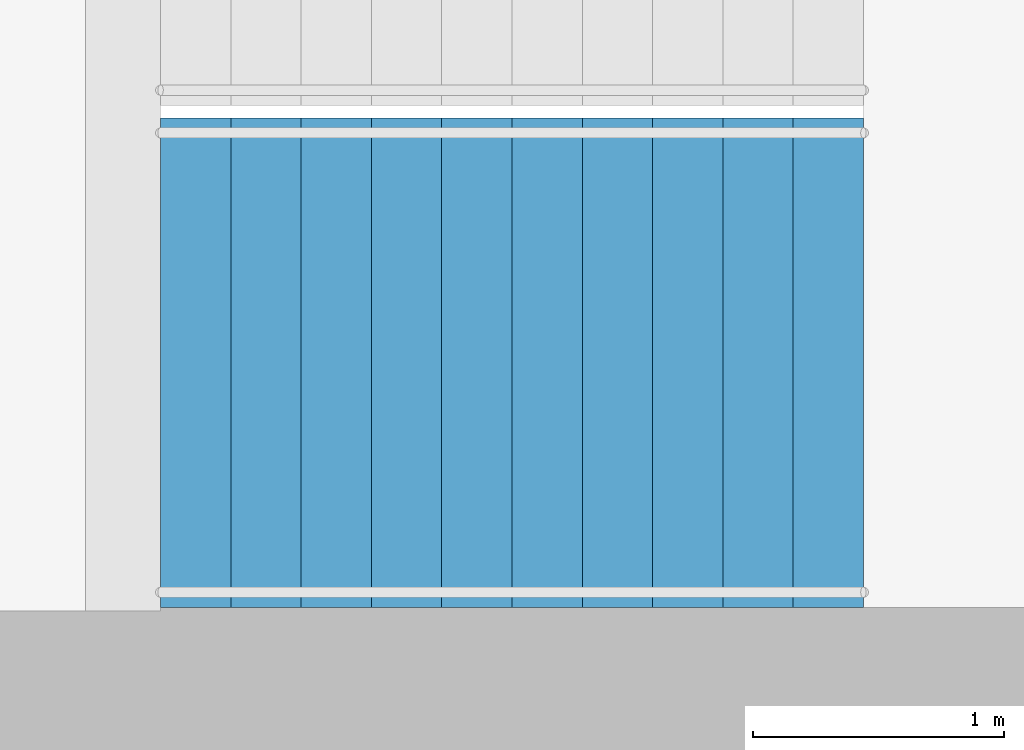
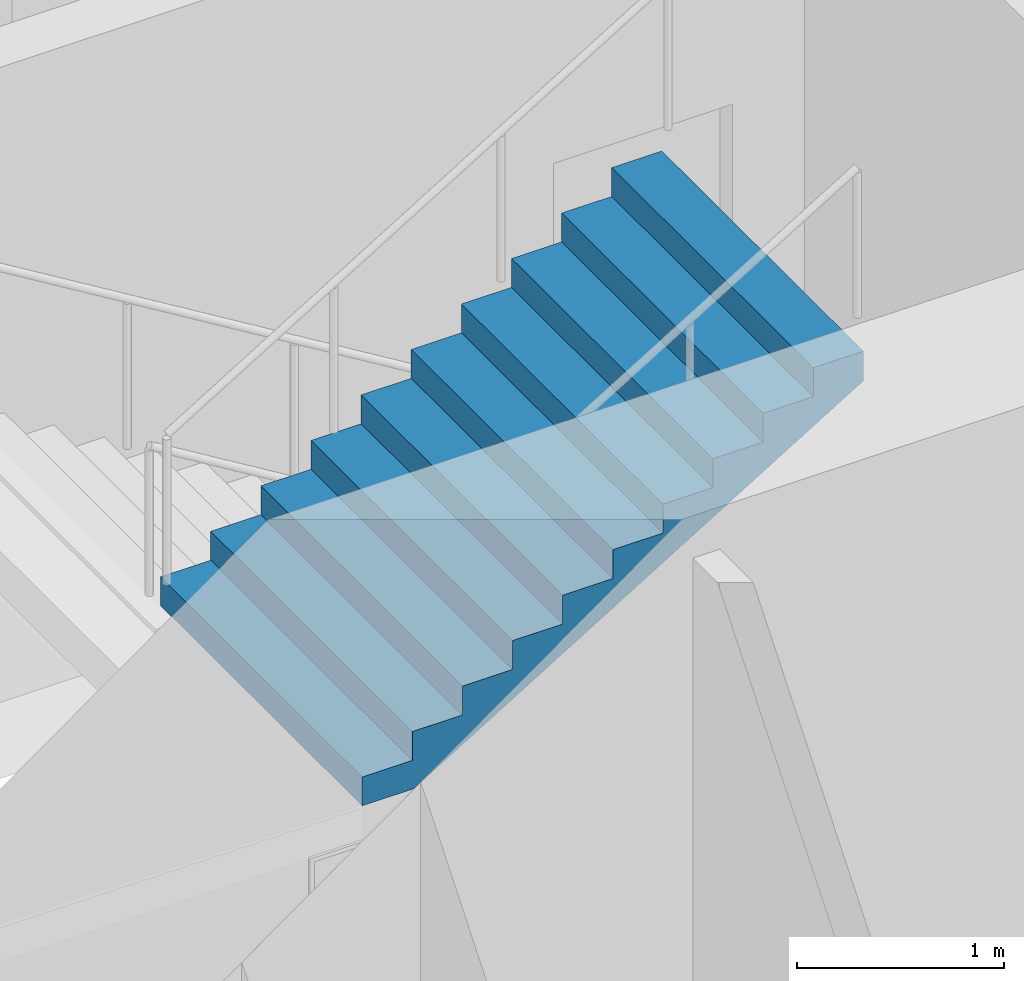
# One storey, part 22 of 26: 1 stair flight, 1 element without a shape of its own.
"""IFC4 building model written with IfcOpenShell, lengths in metres."""

from ifc_helpers import new_model, si_unit, direction, frame, origin, place, context, subcontext, project, spatial, triangles, material, type_object, element, aggregate, save


model = new_model("IFC4")

# Units and contexts
model_context = context("Model", 3, precision=1e-05, world=origin(), true_north=direction((0.0, 1.0)))
body_context = subcontext(model_context, "Body", "Model", "MODEL_VIEW")
ifc_project = project(units=[si_unit("LENGTHUNIT", "METRE"), si_unit("AREAUNIT", "SQUARE_METRE"), si_unit("VOLUMEUNIT", "CUBIC_METRE"), si_unit("PLANEANGLEUNIT", "RADIAN"), si_unit("MASSUNIT", "GRAM", prefix="KILO")], contexts=[model_context])

# Site, building, storey
site_placement = place(None, origin())
site = spatial("IfcSite", under=ifc_project, at=site_placement, CompositionType="ELEMENT")
building_placement = place(site_placement, origin())
building = spatial("IfcBuilding", under=site, at=building_placement, Name="Orbita Commons", CompositionType="ELEMENT")
storey_placement = place(building_placement, frame((0.0, 0.0, 53.949951171875)))
storey = spatial("IfcBuildingStorey", under=building, at=storey_placement, Name="L13", CompositionType="ELEMENT", Elevation=53.949951171875)

# Stair, stair flight
ifc_material_1 = material(Name="Precast concrete C40/50", Category="concrete")
stair_type = type_object("IfcStairType", Name="Exit stair S2 2 flights 11 risers 170", PredefinedType="HALF_TURN_STAIR", material=ifc_material_1)
stair_placement = place(storey_placement, origin())
stair = element("IfcStair", 1, at=stair_placement, inside=storey, type_object=stair_type, Name="Exit stair S2 L13", PredefinedType="HALF_TURN_STAIR")
ifc_material_2 = material(Name="Precast concrete C40/50", Category="concrete")
stair_flight_type = type_object("IfcStairFlightType", Name="Stair flight 11 risers 170 x 280", PredefinedType="STRAIGHT", material=ifc_material_2)
stair_flight_placement = place(storey_placement, frame((60.75, 27.27490234375, 1.875), z_axis=(0.0, 0.0, 1.0), x_axis=(1.0, 0.0, 0.0)))
stair_flight = element("IfcStairFlight", 2, at=stair_flight_placement, type_object=stair_flight_type, Name="S2 flight 2", NumberOfRisers=11, NumberOfTreads=10, PredefinedType="STRAIGHT", RiserHeight=0.170454545, TreadLength=0.28, context=body_context, shape_type="Tessellation", body=[
    triangles([(0.0, 0.974976, 0.0), (0.0, 0.974976, 0.021307), (0.0, 0.81248, 0.021307), (0.0, 0.81248, 0.0), (0.0, 0.649984, 0.021307), (0.0, 0.649984, 0.0), (0.0, 0.487488, 0.021307), (0.0, 0.487488, 0.0), (0.0, 0.324992, 0.021307), (0.0, 0.324992, 0.0), (0.0, 0.162496, 0.021307), (0.0, 0.162496, 0.0), (0.0, 0.0, 0.021307), (0.0, 0.0, 0.0), (0.0, -0.162496, 0.021307), (0.0, -0.162496, 0.0), (0.0, -0.324992, 0.021307), (0.0, -0.324992, 0.0), (0.0, -0.487488, 0.021307), (0.0, -0.487488, 0.0), (0.0, -0.649984, 0.021307), (0.0, -0.649984, 0.0), (0.0, -0.81248, 0.021307), (0.0, -0.81248, 0.0), (0.0, -0.974976, 0.021307), (0.0, -0.974976, 0.0), (0.0, 0.974976, 0.042614), (0.0, 0.81248, 0.042614), (0.0, 0.649984, 0.042614), (0.0, 0.487488, 0.042614), (0.0, 0.324992, 0.042614), (0.0, 0.162496, 0.042614), (0.0, 0.0, 0.042614), (0.0, -0.162496, 0.042614), (0.0, -0.324992, 0.042614), (0.0, -0.487488, 0.042614), (0.0, -0.649984, 0.042614), (0.0, -0.81248, 0.042614), (0.0, -0.974976, 0.042614), (0.0, 0.974976, 0.06392), (0.0, 0.81248, 0.06392), (0.0, 0.649984, 0.06392), (0.0, 0.487488, 0.06392), (0.0, 0.324992, 0.06392), (0.0, 0.162496, 0.06392), (0.0, 0.0, 0.06392), (0.0, -0.162496, 0.06392), (0.0, -0.324992, 0.06392), (0.0, -0.487488, 0.06392), (0.0, -0.649984, 0.06392), (0.0, -0.81248, 0.06392), (0.0, -0.974976, 0.06392), (0.0, 0.974976, 0.085227), (0.0, 0.81248, 0.085227), (0.0, 0.649984, 0.085227), (0.0, 0.487488, 0.085227), (0.0, 0.324992, 0.085227), (0.0, 0.162496, 0.085227), (0.0, 0.0, 0.085227), (0.0, -0.162496, 0.085227), (0.0, -0.324992, 0.085227), (0.0, -0.487488, 0.085227), (0.0, -0.649984, 0.085227), (0.0, -0.81248, 0.085227), (0.0, -0.974976, 0.085227), (0.0, 0.974976, 0.106534), (0.0, 0.81248, 0.106534), (0.0, 0.649984, 0.106534), (0.0, 0.487488, 0.106534), (0.0, 0.324992, 0.106534), (0.0, 0.162496, 0.106534), (0.0, 0.0, 0.106534), (0.0, -0.162496, 0.106534), (0.0, -0.324992, 0.106534), (0.0, -0.487488, 0.106534), (0.0, -0.649984, 0.106534), (0.0, -0.81248, 0.106534), (0.0, -0.974976, 0.106534), (0.0, 0.974976, 0.127841), (0.0, 0.81248, 0.127841), (0.0, 0.649984, 0.127841), (0.0, 0.487488, 0.127841), (0.0, 0.324992, 0.127841), (0.0, 0.162496, 0.127841), (0.0, 0.0, 0.127841), (0.0, -0.162496, 0.127841), (0.0, -0.324992, 0.127841), (0.0, -0.487488, 0.127841), (0.0, -0.649984, 0.127841), (0.0, -0.81248, 0.127841), (0.0, -0.974976, 0.127841), (0.0, 0.974976, 0.149148), (0.0, 0.81248, 0.149148), (0.0, 0.649984, 0.149148), (0.0, 0.487488, 0.149148), (0.0, 0.324992, 0.149148), (0.0, 0.162496, 0.149148), (0.0, 0.0, 0.149148), (0.0, -0.162496, 0.149148), (0.0, -0.324992, 0.149148), (0.0, -0.487488, 0.149148), (0.0, -0.649984, 0.149148), (0.0, -0.81248, 0.149148), (0.0, -0.974976, 0.149148), (0.0, 0.974976, 0.170455), (0.0, 0.81248, 0.170455), (0.0, 0.649984, 0.170455), (0.0, 0.487488, 0.170455), (0.0, 0.324992, 0.170455), (0.0, 0.162496, 0.170455), (0.0, 0.0, 0.170455), (0.0, -0.162496, 0.170455), (0.0, -0.324992, 0.170455), (0.0, -0.487488, 0.170455), (0.0, -0.649984, 0.170455), (0.0, -0.81248, 0.170455), (0.0, -0.974976, 0.170455), (0.28, 0.974976, 0.170455), (0.28, 0.81248, 0.170455), (0.28, 0.649984, 0.170455), (0.28, 0.487488, 0.170455), (0.28, 0.324992, 0.170455), (0.28, 0.162496, 0.170455), (0.28, 0.0, 0.170455), (0.28, -0.162496, 0.170455), (0.28, -0.324992, 0.170455), (0.28, -0.487488, 0.170455), (0.28, -0.649984, 0.170455), (0.28, -0.81248, 0.170455), (0.28, -0.974976, 0.170455), (0.28, 0.974976, 0.340909), (0.28, 0.81248, 0.340909), (0.28, 0.649984, 0.340909), (0.28, 0.487488, 0.340909), (0.28, 0.324992, 0.340909), (0.28, 0.162496, 0.340909), (0.28, 0.0, 0.340909), (0.28, -0.162496, 0.340909), (0.28, -0.324992, 0.340909), (0.28, -0.487488, 0.340909), (0.28, -0.649984, 0.340909), (0.28, -0.81248, 0.340909), (0.28, -0.974976, 0.340909), (0.56, 0.974976, 0.340909), (0.56, 0.81248, 0.340909), (0.56, 0.649984, 0.340909), (0.56, 0.487488, 0.340909), (0.56, 0.324992, 0.340909), (0.56, 0.162496, 0.340909), (0.56, 0.0, 0.340909), (0.56, -0.162496, 0.340909), (0.56, -0.324992, 0.340909), (0.56, -0.487488, 0.340909), (0.56, -0.649984, 0.340909), (0.56, -0.81248, 0.340909), (0.56, -0.974976, 0.340909), (0.56, 0.974976, 0.511364), (0.56, 0.81248, 0.511364), (0.56, 0.649984, 0.511364), (0.56, 0.487488, 0.511364), (0.56, 0.324992, 0.511364), (0.56, 0.162496, 0.511364), (0.56, 0.0, 0.511364), (0.56, -0.162496, 0.511364), (0.56, -0.324992, 0.511364), (0.56, -0.487488, 0.511364), (0.56, -0.649984, 0.511364), (0.56, -0.81248, 0.511364), (0.56, -0.974976, 0.511364), (0.84, 0.974976, 0.511364), (0.84, 0.81248, 0.511364), (0.84, 0.649984, 0.511364), (0.84, 0.487488, 0.511364), (0.84, 0.324992, 0.511364), (0.84, 0.162496, 0.511364), (0.84, 0.0, 0.511364), (0.84, -0.162496, 0.511364), (0.84, -0.324992, 0.511364), (0.84, -0.487488, 0.511364), (0.84, -0.649984, 0.511364), (0.84, -0.81248, 0.511364), (0.84, -0.974976, 0.511364), (0.84, 0.974976, 0.681818), (0.84, 0.81248, 0.681818), (0.84, 0.649984, 0.681818), (0.84, 0.487488, 0.681818), (0.84, 0.324992, 0.681818), (0.84, 0.162496, 0.681818), (0.84, 0.0, 0.681818), (0.84, -0.162496, 0.681818), (0.84, -0.324992, 0.681818), (0.84, -0.487488, 0.681818), (0.84, -0.649984, 0.681818), (0.84, -0.81248, 0.681818), (0.84, -0.974976, 0.681818), (1.12, 0.974976, 0.681818), (1.12, 0.81248, 0.681818), (1.12, 0.649984, 0.681818), (1.12, 0.487488, 0.681818), (1.12, 0.324992, 0.681818), (1.12, 0.162496, 0.681818), (1.12, 0.0, 0.681818), (1.12, -0.162496, 0.681818), (1.12, -0.324992, 0.681818), (1.12, -0.487488, 0.681818), (1.12, -0.649984, 0.681818), (1.12, -0.81248, 0.681818), (1.12, -0.974976, 0.681818), (1.12, 0.974976, 0.852273), (1.12, 0.81248, 0.852273), (1.12, 0.649984, 0.852273), (1.12, 0.487488, 0.852273), (1.12, 0.324992, 0.852273), (1.12, 0.162496, 0.852273), (1.12, 0.0, 0.852273), (1.12, -0.162496, 0.852273), (1.12, -0.324992, 0.852273), (1.12, -0.487488, 0.852273), (1.12, -0.649984, 0.852273), (1.12, -0.81248, 0.852273), (1.12, -0.974976, 0.852273), (1.4, 0.974976, 0.852273), (1.4, 0.81248, 0.852273), (1.4, 0.649984, 0.852273), (1.4, 0.487488, 0.852273), (1.4, 0.324992, 0.852273), (1.4, 0.162496, 0.852273), (1.4, 0.0, 0.852273), (1.4, -0.162496, 0.852273), (1.4, -0.324992, 0.852273), (1.4, -0.487488, 0.852273), (1.4, -0.649984, 0.852273), (1.4, -0.81248, 0.852273), (1.4, -0.974976, 0.852273), (1.4, 0.974976, 1.022727), (1.4, 0.81248, 1.022727), (1.4, 0.649984, 1.022727), (1.4, 0.487488, 1.022727), (1.4, 0.324992, 1.022727), (1.4, 0.162496, 1.022727), (1.4, 0.0, 1.022727), (1.4, -0.162496, 1.022727), (1.4, -0.324992, 1.022727), (1.4, -0.487488, 1.022727), (1.4, -0.649984, 1.022727), (1.4, -0.81248, 1.022727), (1.4, -0.974976, 1.022727), (1.68, 0.974976, 1.022727), (1.68, 0.81248, 1.022727), (1.68, 0.649984, 1.022727), (1.68, 0.487488, 1.022727), (1.68, 0.324992, 1.022727), (1.68, 0.162496, 1.022727), (1.68, 0.0, 1.022727), (1.68, -0.162496, 1.022727), (1.68, -0.324992, 1.022727), (1.68, -0.487488, 1.022727), (1.68, -0.649984, 1.022727), (1.68, -0.81248, 1.022727), (1.68, -0.974976, 1.022727), (1.68, 0.974976, 1.193182), (1.68, 0.81248, 1.193182), (1.68, 0.649984, 1.193182), (1.68, 0.487488, 1.193182), (1.68, 0.324992, 1.193182), (1.68, 0.162496, 1.193182), (1.68, 0.0, 1.193182), (1.68, -0.162496, 1.193182), (1.68, -0.324992, 1.193182), (1.68, -0.487488, 1.193182), (1.68, -0.649984, 1.193182), (1.68, -0.81248, 1.193182), (1.68, -0.974976, 1.193182), (1.96, 0.974976, 1.193182), (1.96, 0.81248, 1.193182), (1.96, 0.649984, 1.193182), (1.96, 0.487488, 1.193182), (1.96, 0.324992, 1.193182), (1.96, 0.162496, 1.193182), (1.96, 0.0, 1.193182), (1.96, -0.162496, 1.193182), (1.96, -0.324992, 1.193182), (1.96, -0.487488, 1.193182), (1.96, -0.649984, 1.193182), (1.96, -0.81248, 1.193182), (1.96, -0.974976, 1.193182), (1.96, 0.974976, 1.363636), (1.96, 0.81248, 1.363636), (1.96, 0.649984, 1.363636), (1.96, 0.487488, 1.363636), (1.96, 0.324992, 1.363636), (1.96, 0.162496, 1.363636), (1.96, 0.0, 1.363636), (1.96, -0.162496, 1.363636), (1.96, -0.324992, 1.363636), (1.96, -0.487488, 1.363636), (1.96, -0.649984, 1.363636), (1.96, -0.81248, 1.363636), (1.96, -0.974976, 1.363636), (2.24, 0.974976, 1.363636), (2.24, 0.81248, 1.363636), (2.24, 0.649984, 1.363636), (2.24, 0.487488, 1.363636), (2.24, 0.324992, 1.363636), (2.24, 0.162496, 1.363636), (2.24, 0.0, 1.363636), (2.24, -0.162496, 1.363636), (2.24, -0.324992, 1.363636), (2.24, -0.487488, 1.363636), (2.24, -0.649984, 1.363636), (2.24, -0.81248, 1.363636), (2.24, -0.974976, 1.363636), (2.24, 0.974976, 1.534091), (2.24, 0.81248, 1.534091), (2.24, 0.649984, 1.534091), (2.24, 0.487488, 1.534091), (2.24, 0.324992, 1.534091), (2.24, 0.162496, 1.534091), (2.24, 0.0, 1.534091), (2.24, -0.162496, 1.534091), (2.24, -0.324992, 1.534091), (2.24, -0.487488, 1.534091), (2.24, -0.649984, 1.534091), (2.24, -0.81248, 1.534091), (2.24, -0.974976, 1.534091), (2.52, 0.974976, 1.534091), (2.52, 0.81248, 1.534091), (2.52, 0.649984, 1.534091), (2.52, 0.487488, 1.534091), (2.52, 0.324992, 1.534091), (2.52, 0.162496, 1.534091), (2.52, 0.0, 1.534091), (2.52, -0.162496, 1.534091), (2.52, -0.324992, 1.534091), (2.52, -0.487488, 1.534091), (2.52, -0.649984, 1.534091), (2.52, -0.81248, 1.534091), (2.52, -0.974976, 1.534091), (2.52, 0.974976, 1.704545), (2.52, 0.81248, 1.704545), (2.52, 0.649984, 1.704545), (2.52, 0.487488, 1.704545), (2.52, 0.324992, 1.704545), (2.52, 0.162496, 1.704545), (2.52, 0.0, 1.704545), (2.52, -0.162496, 1.704545), (2.52, -0.324992, 1.704545), (2.52, -0.487488, 1.704545), (2.52, -0.649984, 1.704545), (2.52, -0.81248, 1.704545), (2.52, -0.974976, 1.704545), (2.8, 0.974976, 1.704545), (2.8, 0.81248, 1.704545), (2.8, 0.649984, 1.704545), (2.8, 0.487488, 1.704545), (2.8, 0.324992, 1.704545), (2.8, 0.162496, 1.704545), (2.8, 0.0, 1.704545), (2.8, -0.162496, 1.704545), (2.8, -0.324992, 1.704545), (2.8, -0.487488, 1.704545), (2.8, -0.649984, 1.704545), (2.8, -0.81248, 1.704545), (2.8, -0.974976, 1.704545), (2.8, 0.974976, 1.682609), (2.8, 0.81248, 1.682609), (2.8, 0.649984, 1.682609), (2.8, 0.487488, 1.682609), (2.8, 0.324992, 1.682609), (2.8, 0.162496, 1.682609), (2.8, 0.0, 1.682609), (2.8, -0.162496, 1.682609), (2.8, -0.324992, 1.682609), (2.8, -0.487488, 1.682609), (2.8, -0.649984, 1.682609), (2.8, -0.81248, 1.682609), (2.8, -0.974976, 1.682609), (2.8, 0.974976, 1.660672), (2.8, 0.81248, 1.660672), (2.8, 0.649984, 1.660672), (2.8, 0.487488, 1.660672), (2.8, 0.324992, 1.660672), (2.8, 0.162496, 1.660672), (2.8, 0.0, 1.660672), (2.8, -0.162496, 1.660672), (2.8, -0.324992, 1.660672), (2.8, -0.487488, 1.660672), (2.8, -0.649984, 1.660672), (2.8, -0.81248, 1.660672), (2.8, -0.974976, 1.660672), (2.8, 0.974976, 1.638735), (2.8, 0.81248, 1.638735), (2.8, 0.649984, 1.638735), (2.8, 0.487488, 1.638735), (2.8, 0.324992, 1.638735), (2.8, 0.162496, 1.638735), (2.8, 0.0, 1.638735), (2.8, -0.162496, 1.638735), (2.8, -0.324992, 1.638735), (2.8, -0.487488, 1.638735), (2.8, -0.649984, 1.638735), (2.8, -0.81248, 1.638735), (2.8, -0.974976, 1.638735), (2.8, 0.974976, 1.616798), (2.8, 0.81248, 1.616798), (2.8, 0.649984, 1.616798), (2.8, 0.487488, 1.616798), (2.8, 0.324992, 1.616798), (2.8, 0.162496, 1.616798), (2.8, 0.0, 1.616798), (2.8, -0.162496, 1.616798), (2.8, -0.324992, 1.616798), (2.8, -0.487488, 1.616798), (2.8, -0.649984, 1.616798), (2.8, -0.81248, 1.616798), (2.8, -0.974976, 1.616798), (2.8, 0.974976, 1.594861), (2.8, 0.81248, 1.594861), (2.8, 0.649984, 1.594861), (2.8, 0.487488, 1.594861), (2.8, 0.324992, 1.594861), (2.8, 0.162496, 1.594861), (2.8, 0.0, 1.594861), (2.8, -0.162496, 1.594861), (2.8, -0.324992, 1.594861), (2.8, -0.487488, 1.594861), (2.8, -0.649984, 1.594861), (2.8, -0.81248, 1.594861), (2.8, -0.974976, 1.594861), (2.8, 0.974976, 1.572925), (2.8, 0.81248, 1.572925), (2.8, 0.649984, 1.572925), (2.8, 0.487488, 1.572925), (2.8, 0.324992, 1.572925), (2.8, 0.162496, 1.572925), (2.8, 0.0, 1.572925), (2.8, -0.162496, 1.572925), (2.8, -0.324992, 1.572925), (2.8, -0.487488, 1.572925), (2.8, -0.649984, 1.572925), (2.8, -0.81248, 1.572925), (2.8, -0.974976, 1.572925), (2.8, 0.974976, 1.550988), (2.8, 0.81248, 1.550988), (2.8, 0.649984, 1.550988), (2.8, 0.487488, 1.550988), (2.8, 0.324992, 1.550988), (2.8, 0.162496, 1.550988), (2.8, 0.0, 1.550988), (2.8, -0.162496, 1.550988), (2.8, -0.324992, 1.550988), (2.8, -0.487488, 1.550988), (2.8, -0.649984, 1.550988), (2.8, -0.81248, 1.550988), (2.8, -0.974976, 1.550988), (2.8, 0.974976, 1.529051), (2.8, 0.81248, 1.529051), (2.8, 0.649984, 1.529051), (2.8, 0.487488, 1.529051), (2.8, 0.324992, 1.529051), (2.8, 0.162496, 1.529051), (2.8, 0.0, 1.529051), (2.8, -0.162496, 1.529051), (2.8, -0.324992, 1.529051), (2.8, -0.487488, 1.529051), (2.8, -0.649984, 1.529051), (2.8, -0.81248, 1.529051), (2.8, -0.974976, 1.529051), (0.288279, 0.974976, 0.0), (0.288279, 0.81248, 0.0), (0.288279, 0.649984, 0.0), (0.288279, 0.487488, 0.0), (0.288279, 0.324992, 0.0), (0.288279, 0.162496, 0.0), (0.288279, 0.0, 0.0), (0.288279, -0.162496, 0.0), (0.288279, -0.324992, 0.0), (0.288279, -0.487488, 0.0), (0.288279, -0.649984, 0.0), (0.288279, -0.81248, 0.0), (0.288279, -0.974976, 0.0)], [[3, 2, 1], [4, 3, 1], [5, 3, 4], [6, 5, 4], [7, 5, 6], [8, 7, 6], [9, 7, 8], [10, 9, 8], [11, 9, 10], [12, 11, 10], [13, 11, 12], [14, 13, 12], [15, 13, 14], [16, 15, 14], [17, 15, 16], [18, 17, 16], [19, 17, 18], [20, 19, 18], [21, 19, 20], [22, 21, 20], [23, 21, 22], [24, 23, 22], [25, 23, 24], [26, 25, 24], [28, 27, 2], [3, 28, 2], [29, 28, 3], [5, 29, 3], [30, 29, 5], [7, 30, 5], [31, 30, 7], [9, 31, 7], [32, 31, 9], [11, 32, 9], [33, 32, 11], [13, 33, 11], [34, 33, 13], [15, 34, 13], [35, 34, 15], [17, 35, 15], [36, 35, 17], [19, 36, 17], [37, 36, 19], [21, 37, 19], [38, 37, 21], [23, 38, 21], [39, 38, 23], [25, 39, 23], [41, 40, 27], [28, 41, 27], [42, 41, 28], [29, 42, 28], [43, 42, 29], [30, 43, 29], [44, 43, 30], [31, 44, 30], [45, 44, 31], [32, 45, 31], [46, 45, 32], [33, 46, 32], [47, 46, 33], [34, 47, 33], [48, 47, 34], [35, 48, 34], [49, 48, 35], [36, 49, 35], [50, 49, 36], [37, 50, 36], [51, 50, 37], [38, 51, 37], [52, 51, 38], [39, 52, 38], [54, 53, 40], [41, 54, 40], [55, 54, 41], [42, 55, 41], [56, 55, 42], [43, 56, 42], [57, 56, 43], [44, 57, 43], [58, 57, 44], [45, 58, 44], [59, 58, 45], [46, 59, 45], [60, 59, 46], [47, 60, 46], [61, 60, 47], [48, 61, 47], [62, 61, 48], [49, 62, 48], [63, 62, 49], [50, 63, 49], [64, 63, 50], [51, 64, 50], [65, 64, 51], [52, 65, 51], [67, 66, 53], [54, 67, 53], [68, 67, 54], [55, 68, 54], [69, 68, 55], [56, 69, 55], [70, 69, 56], [57, 70, 56], [71, 70, 57], [58, 71, 57], [72, 71, 58], [59, 72, 58], [73, 72, 59], [60, 73, 59], [74, 73, 60], [61, 74, 60], [75, 74, 61], [62, 75, 61], [76, 75, 62], [63, 76, 62], [77, 76, 63], [64, 77, 63], [78, 77, 64], [65, 78, 64], [80, 79, 66], [67, 80, 66], [81, 80, 67], [68, 81, 67], [82, 81, 68], [69, 82, 68], [83, 82, 69], [70, 83, 69], [84, 83, 70], [71, 84, 70], [85, 84, 71], [72, 85, 71], [86, 85, 72], [73, 86, 72], [87, 86, 73], [74, 87, 73], [88, 87, 74], [75, 88, 74], [89, 88, 75], [76, 89, 75], [90, 89, 76], [77, 90, 76], [91, 90, 77], [78, 91, 77], [93, 92, 79], [80, 93, 79], [94, 93, 80], [81, 94, 80], [95, 94, 81], [82, 95, 81], [96, 95, 82], [83, 96, 82], [97, 96, 83], [84, 97, 83], [98, 97, 84], [85, 98, 84], [99, 98, 85], [86, 99, 85], [100, 99, 86], [87, 100, 86], [101, 100, 87], [88, 101, 87], [102, 101, 88], [89, 102, 88], [103, 102, 89], [90, 103, 89], [104, 103, 90], [91, 104, 90], [106, 105, 92], [93, 106, 92], [107, 106, 93], [94, 107, 93], [108, 107, 94], [95, 108, 94], [109, 108, 95], [96, 109, 95], [110, 109, 96], [97, 110, 96], [111, 110, 97], [98, 111, 97], [112, 111, 98], [99, 112, 98], [113, 112, 99], [100, 113, 99], [114, 113, 100], [101, 114, 100], [115, 114, 101], [102, 115, 101], [116, 115, 102], [103, 116, 102], [117, 116, 103], [104, 117, 103], [119, 118, 105], [106, 119, 105], [120, 119, 106], [107, 120, 106], [121, 120, 107], [108, 121, 107], [122, 121, 108], [109, 122, 108], [123, 122, 109], [110, 123, 109], [124, 123, 110], [111, 124, 110], [125, 124, 111], [112, 125, 111], [126, 125, 112], [113, 126, 112], [127, 126, 113], [114, 127, 113], [128, 127, 114], [115, 128, 114], [129, 128, 115], [116, 129, 115], [130, 129, 116], [117, 130, 116], [132, 131, 118], [119, 132, 118], [133, 132, 119], [120, 133, 119], [134, 133, 120], [121, 134, 120], [135, 134, 121], [122, 135, 121], [136, 135, 122], [123, 136, 122], [137, 136, 123], [124, 137, 123], [138, 137, 124], [125, 138, 124], [139, 138, 125], [126, 139, 125], [140, 139, 126], [127, 140, 126], [141, 140, 127], [128, 141, 127], [142, 141, 128], [129, 142, 128], [143, 142, 129], [130, 143, 129], [145, 144, 131], [132, 145, 131], [146, 145, 132], [133, 146, 132], [147, 146, 133], [134, 147, 133], [148, 147, 134], [135, 148, 134], [149, 148, 135], [136, 149, 135], [150, 149, 136], [137, 150, 136], [151, 150, 137], [138, 151, 137], [152, 151, 138], [139, 152, 138], [153, 152, 139], [140, 153, 139], [154, 153, 140], [141, 154, 140], [155, 154, 141], [142, 155, 141], [156, 155, 142], [143, 156, 142], [158, 157, 144], [145, 158, 144], [159, 158, 145], [146, 159, 145], [160, 159, 146], [147, 160, 146], [161, 160, 147], [148, 161, 147], [162, 161, 148], [149, 162, 148], [163, 162, 149], [150, 163, 149], [164, 163, 150], [151, 164, 150], [165, 164, 151], [152, 165, 151], [166, 165, 152], [153, 166, 152], [167, 166, 153], [154, 167, 153], [168, 167, 154], [155, 168, 154], [169, 168, 155], [156, 169, 155], [171, 170, 157], [158, 171, 157], [172, 171, 158], [159, 172, 158], [173, 172, 159], [160, 173, 159], [174, 173, 160], [161, 174, 160], [175, 174, 161], [162, 175, 161], [176, 175, 162], [163, 176, 162], [177, 176, 163], [164, 177, 163], [178, 177, 164], [165, 178, 164], [179, 178, 165], [166, 179, 165], [180, 179, 166], [167, 180, 166], [181, 180, 167], [168, 181, 167], [182, 181, 168], [169, 182, 168], [184, 183, 170], [171, 184, 170], [185, 184, 171], [172, 185, 171], [186, 185, 172], [173, 186, 172], [187, 186, 173], [174, 187, 173], [188, 187, 174], [175, 188, 174], [189, 188, 175], [176, 189, 175], [190, 189, 176], [177, 190, 176], [191, 190, 177], [178, 191, 177], [192, 191, 178], [179, 192, 178], [193, 192, 179], [180, 193, 179], [194, 193, 180], [181, 194, 180], [195, 194, 181], [182, 195, 181], [197, 196, 183], [184, 197, 183], [198, 197, 184], [185, 198, 184], [199, 198, 185], [186, 199, 185], [200, 199, 186], [187, 200, 186], [201, 200, 187], [188, 201, 187], [202, 201, 188], [189, 202, 188], [203, 202, 189], [190, 203, 189], [204, 203, 190], [191, 204, 190], [205, 204, 191], [192, 205, 191], [206, 205, 192], [193, 206, 192], [207, 206, 193], [194, 207, 193], [208, 207, 194], [195, 208, 194], [210, 209, 196], [197, 210, 196], [211, 210, 197], [198, 211, 197], [212, 211, 198], [199, 212, 198], [213, 212, 199], [200, 213, 199], [214, 213, 200], [201, 214, 200], [215, 214, 201], [202, 215, 201], [216, 215, 202], [203, 216, 202], [217, 216, 203], [204, 217, 203], [218, 217, 204], [205, 218, 204], [219, 218, 205], [206, 219, 205], [220, 219, 206], [207, 220, 206], [221, 220, 207], [208, 221, 207], [223, 222, 209], [210, 223, 209], [224, 223, 210], [211, 224, 210], [225, 224, 211], [212, 225, 211], [226, 225, 212], [213, 226, 212], [227, 226, 213], [214, 227, 213], [228, 227, 214], [215, 228, 214], [229, 228, 215], [216, 229, 215], [230, 229, 216], [217, 230, 216], [231, 230, 217], [218, 231, 217], [232, 231, 218], [219, 232, 218], [233, 232, 219], [220, 233, 219], [234, 233, 220], [221, 234, 220], [236, 235, 222], [223, 236, 222], [237, 236, 223], [224, 237, 223], [238, 237, 224], [225, 238, 224], [239, 238, 225], [226, 239, 225], [240, 239, 226], [227, 240, 226], [241, 240, 227], [228, 241, 227], [242, 241, 228], [229, 242, 228], [243, 242, 229], [230, 243, 229], [244, 243, 230], [231, 244, 230], [245, 244, 231], [232, 245, 231], [246, 245, 232], [233, 246, 232], [247, 246, 233], [234, 247, 233], [249, 248, 235], [236, 249, 235], [250, 249, 236], [237, 250, 236], [251, 250, 237], [238, 251, 237], [252, 251, 238], [239, 252, 238], [253, 252, 239], [240, 253, 239], [254, 253, 240], [241, 254, 240], [255, 254, 241], [242, 255, 241], [256, 255, 242], [243, 256, 242], [257, 256, 243], [244, 257, 243], [258, 257, 244], [245, 258, 244], [259, 258, 245], [246, 259, 245], [260, 259, 246], [247, 260, 246], [262, 261, 248], [249, 262, 248], [263, 262, 249], [250, 263, 249], [264, 263, 250], [251, 264, 250], [265, 264, 251], [252, 265, 251], [266, 265, 252], [253, 266, 252], [267, 266, 253], [254, 267, 253], [268, 267, 254], [255, 268, 254], [269, 268, 255], [256, 269, 255], [270, 269, 256], [257, 270, 256], [271, 270, 257], [258, 271, 257], [272, 271, 258], [259, 272, 258], [273, 272, 259], [260, 273, 259], [275, 274, 261], [262, 275, 261], [276, 275, 262], [263, 276, 262], [277, 276, 263], [264, 277, 263], [278, 277, 264], [265, 278, 264], [279, 278, 265], [266, 279, 265], [280, 279, 266], [267, 280, 266], [281, 280, 267], [268, 281, 267], [282, 281, 268], [269, 282, 268], [283, 282, 269], [270, 283, 269], [284, 283, 270], [271, 284, 270], [285, 284, 271], [272, 285, 271], [286, 285, 272], [273, 286, 272], [288, 287, 274], [275, 288, 274], [289, 288, 275], [276, 289, 275], [290, 289, 276], [277, 290, 276], [291, 290, 277], [278, 291, 277], [292, 291, 278], [279, 292, 278], [293, 292, 279], [280, 293, 279], [294, 293, 280], [281, 294, 280], [295, 294, 281], [282, 295, 281], [296, 295, 282], [283, 296, 282], [297, 296, 283], [284, 297, 283], [298, 297, 284], [285, 298, 284], [299, 298, 285], [286, 299, 285], [301, 300, 287], [288, 301, 287], [302, 301, 288], [289, 302, 288], [303, 302, 289], [290, 303, 289], [304, 303, 290], [291, 304, 290], [305, 304, 291], [292, 305, 291], [306, 305, 292], [293, 306, 292], [307, 306, 293], [294, 307, 293], [308, 307, 294], [295, 308, 294], [309, 308, 295], [296, 309, 295], [310, 309, 296], [297, 310, 296], [311, 310, 297], [298, 311, 297], [312, 311, 298], [299, 312, 298], [314, 313, 300], [301, 314, 300], [315, 314, 301], [302, 315, 301], [316, 315, 302], [303, 316, 302], [317, 316, 303], [304, 317, 303], [318, 317, 304], [305, 318, 304], [319, 318, 305], [306, 319, 305], [320, 319, 306], [307, 320, 306], [321, 320, 307], [308, 321, 307], [322, 321, 308], [309, 322, 308], [323, 322, 309], [310, 323, 309], [324, 323, 310], [311, 324, 310], [325, 324, 311], [312, 325, 311], [327, 326, 313], [314, 327, 313], [328, 327, 314], [315, 328, 314], [329, 328, 315], [316, 329, 315], [330, 329, 316], [317, 330, 316], [331, 330, 317], [318, 331, 317], [332, 331, 318], [319, 332, 318], [333, 332, 319], [320, 333, 319], [334, 333, 320], [321, 334, 320], [335, 334, 321], [322, 335, 321], [336, 335, 322], [323, 336, 322], [337, 336, 323], [324, 337, 323], [338, 337, 324], [325, 338, 324], [340, 339, 326], [327, 340, 326], [341, 340, 327], [328, 341, 327], [342, 341, 328], [329, 342, 328], [343, 342, 329], [330, 343, 329], [344, 343, 330], [331, 344, 330], [345, 344, 331], [332, 345, 331], [346, 345, 332], [333, 346, 332], [347, 346, 333], [334, 347, 333], [348, 347, 334], [335, 348, 334], [349, 348, 335], [336, 349, 335], [350, 349, 336], [337, 350, 336], [351, 350, 337], [338, 351, 337], [353, 352, 339], [340, 353, 339], [354, 353, 340], [341, 354, 340], [355, 354, 341], [342, 355, 341], [356, 355, 342], [343, 356, 342], [357, 356, 343], [344, 357, 343], [358, 357, 344], [345, 358, 344], [359, 358, 345], [346, 359, 345], [360, 359, 346], [347, 360, 346], [361, 360, 347], [348, 361, 347], [362, 361, 348], [349, 362, 348], [363, 362, 349], [350, 363, 349], [364, 363, 350], [351, 364, 350], [366, 365, 352], [353, 366, 352], [367, 366, 353], [354, 367, 353], [368, 367, 354], [355, 368, 354], [369, 368, 355], [356, 369, 355], [370, 369, 356], [357, 370, 356], [371, 370, 357], [358, 371, 357], [372, 371, 358], [359, 372, 358], [373, 372, 359], [360, 373, 359], [374, 373, 360], [361, 374, 360], [375, 374, 361], [362, 375, 361], [376, 375, 362], [363, 376, 362], [377, 376, 363], [364, 377, 363], [379, 378, 365], [366, 379, 365], [380, 379, 366], [367, 380, 366], [381, 380, 367], [368, 381, 367], [382, 381, 368], [369, 382, 368], [383, 382, 369], [370, 383, 369], [384, 383, 370], [371, 384, 370], [385, 384, 371], [372, 385, 371], [386, 385, 372], [373, 386, 372], [387, 386, 373], [374, 387, 373], [388, 387, 374], [375, 388, 374], [389, 388, 375], [376, 389, 375], [390, 389, 376], [377, 390, 376], [392, 391, 378], [379, 392, 378], [393, 392, 379], [380, 393, 379], [394, 393, 380], [381, 394, 380], [395, 394, 381], [382, 395, 381], [396, 395, 382], [383, 396, 382], [397, 396, 383], [384, 397, 383], [398, 397, 384], [385, 398, 384], [399, 398, 385], [386, 399, 385], [400, 399, 386], [387, 400, 386], [401, 400, 387], [388, 401, 387], [402, 401, 388], [389, 402, 388], [403, 402, 389], [390, 403, 389], [405, 404, 391], [392, 405, 391], [406, 405, 392], [393, 406, 392], [407, 406, 393], [394, 407, 393], [408, 407, 394], [395, 408, 394], [409, 408, 395], [396, 409, 395], [410, 409, 396], [397, 410, 396], [411, 410, 397], [398, 411, 397], [412, 411, 398], [399, 412, 398], [413, 412, 399], [400, 413, 399], [414, 413, 400], [401, 414, 400], [415, 414, 401], [402, 415, 401], [416, 415, 402], [403, 416, 402], [418, 417, 404], [405, 418, 404], [419, 418, 405], [406, 419, 405], [420, 419, 406], [407, 420, 406], [421, 420, 407], [408, 421, 407], [422, 421, 408], [409, 422, 408], [423, 422, 409], [410, 423, 409], [424, 423, 410], [411, 424, 410], [425, 424, 411], [412, 425, 411], [426, 425, 412], [413, 426, 412], [427, 426, 413], [414, 427, 413], [428, 427, 414], [415, 428, 414], [429, 428, 415], [416, 429, 415], [431, 430, 417], [418, 431, 417], [432, 431, 418], [419, 432, 418], [433, 432, 419], [420, 433, 419], [434, 433, 420], [421, 434, 420], [435, 434, 421], [422, 435, 421], [436, 435, 422], [423, 436, 422], [437, 436, 423], [424, 437, 423], [438, 437, 424], [425, 438, 424], [439, 438, 425], [426, 439, 425], [440, 439, 426], [427, 440, 426], [441, 440, 427], [428, 441, 427], [442, 441, 428], [429, 442, 428], [444, 443, 430], [431, 444, 430], [445, 444, 431], [432, 445, 431], [446, 445, 432], [433, 446, 432], [447, 446, 433], [434, 447, 433], [448, 447, 434], [435, 448, 434], [449, 448, 435], [436, 449, 435], [450, 449, 436], [437, 450, 436], [451, 450, 437], [438, 451, 437], [452, 451, 438], [439, 452, 438], [453, 452, 439], [440, 453, 439], [454, 453, 440], [441, 454, 440], [455, 454, 441], [442, 455, 441], [457, 456, 443], [444, 457, 443], [458, 457, 444], [445, 458, 444], [459, 458, 445], [446, 459, 445], [460, 459, 446], [447, 460, 446], [461, 460, 447], [448, 461, 447], [462, 461, 448], [449, 462, 448], [463, 462, 449], [450, 463, 449], [464, 463, 450], [451, 464, 450], [465, 464, 451], [452, 465, 451], [466, 465, 452], [453, 466, 452], [467, 466, 453], [454, 467, 453], [468, 467, 454], [455, 468, 454], [470, 469, 456], [457, 470, 456], [471, 470, 457], [458, 471, 457], [472, 471, 458], [459, 472, 458], [473, 472, 459], [460, 473, 459], [474, 473, 460], [461, 474, 460], [475, 474, 461], [462, 475, 461], [476, 475, 462], [463, 476, 462], [477, 476, 463], [464, 477, 463], [478, 477, 464], [465, 478, 464], [479, 478, 465], [466, 479, 465], [480, 479, 466], [467, 480, 466], [481, 480, 467], [468, 481, 467], [4, 1, 469], [470, 4, 469], [6, 4, 470], [471, 6, 470], [8, 6, 471], [472, 8, 471], [10, 8, 472], [473, 10, 472], [12, 10, 473], [474, 12, 473], [14, 12, 474], [475, 14, 474], [16, 14, 475], [476, 16, 475], [18, 16, 476], [477, 18, 476], [20, 18, 477], [478, 20, 477], [22, 20, 478], [479, 22, 478], [24, 22, 479], [480, 24, 479], [26, 24, 480], [481, 26, 480], [456, 469, 1], [26, 481, 468], [443, 456, 1], [26, 468, 455], [430, 443, 1], [26, 455, 442], [417, 430, 1], [26, 442, 429], [404, 417, 1], [26, 429, 416], [391, 404, 1], [26, 416, 403], [378, 391, 1], [26, 403, 390], [365, 378, 1], [26, 390, 377], [339, 352, 365], [377, 364, 351], [326, 339, 365], [377, 351, 338], [300, 313, 326], [338, 325, 312], [300, 326, 365], [377, 338, 312], [274, 287, 300], [312, 299, 286], [274, 300, 365], [377, 312, 286], [248, 261, 274], [286, 273, 260], [248, 274, 365], [377, 286, 260], [222, 235, 248], [260, 247, 234], [222, 248, 365], [377, 260, 234], [196, 209, 222], [234, 221, 208], [196, 222, 365], [377, 234, 208], [170, 183, 196], [208, 195, 182], [170, 196, 365], [377, 208, 182], [144, 157, 170], [182, 169, 156], [144, 170, 365], [377, 182, 156], [118, 131, 144], [156, 143, 130], [118, 144, 365], [377, 156, 130], [118, 365, 1], [26, 377, 130], [92, 105, 118], [130, 117, 104], [79, 92, 118], [130, 104, 91], [66, 79, 118], [130, 91, 78], [53, 66, 118], [130, 78, 65], [40, 53, 118], [130, 65, 52], [27, 40, 118], [130, 52, 39], [2, 27, 118], [130, 39, 25], [1, 2, 118], [130, 25, 26]], closed=True),
])
aggregate(stair, [stair_flight])

save(model, "model.ifc")
